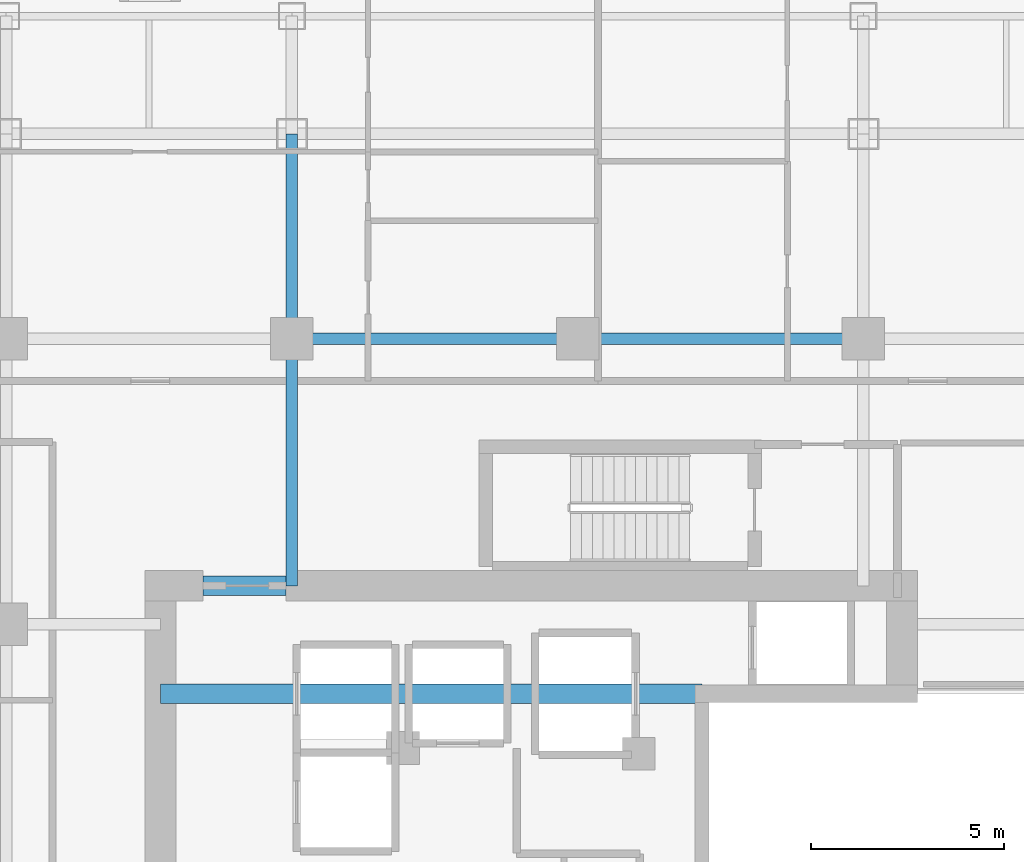
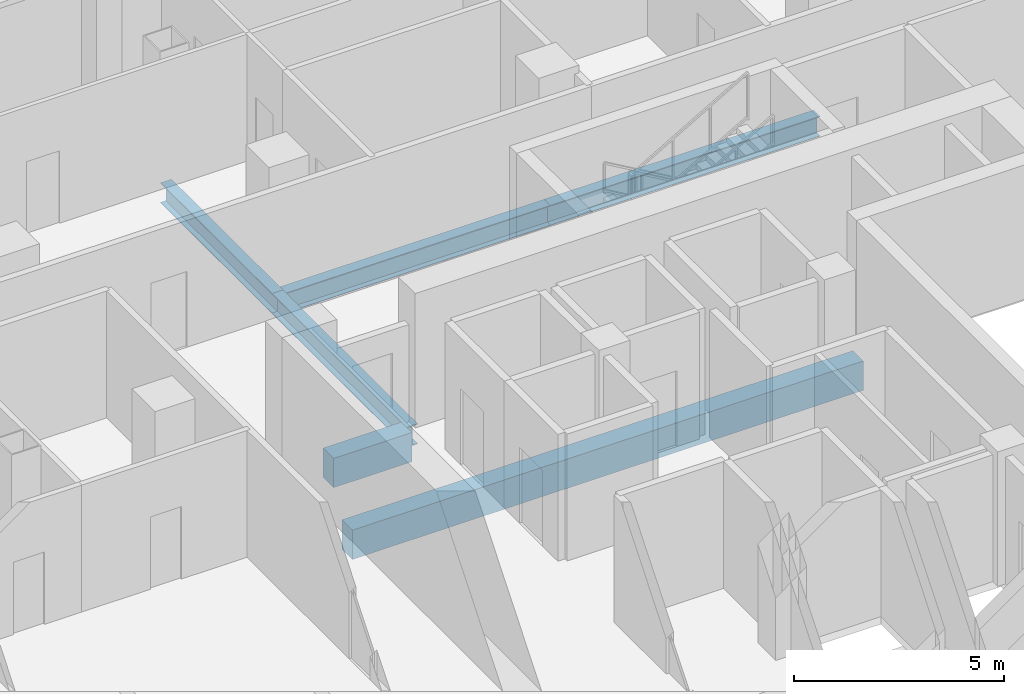
# One storey, part 17 of 34: 6 beams.
"""IFC4 building model written with IfcOpenShell, lengths in metres."""

from ifc_helpers import new_model, si_unit, direction, frame, origin, origin_2d, place, context, subcontext, project, spatial, rectangle, i_section, extrude, material, material_profile, profile_set, type_object, element, save


model = new_model("IFC4")

# Units and contexts
model_context = context("Model", 3, precision=1e-05, world=origin(), true_north=direction((0.0, 1.0)))
body_context = subcontext(model_context, "Body", "Model", "MODEL_VIEW")
ifc_project = project(units=[si_unit("LENGTHUNIT", "METRE"), si_unit("AREAUNIT", "SQUARE_METRE"), si_unit("VOLUMEUNIT", "CUBIC_METRE"), si_unit("PLANEANGLEUNIT", "RADIAN"), si_unit("MASSUNIT", "GRAM", prefix="KILO")], contexts=[model_context])

# Site, building, storey
site_placement = place(None, origin())
site = spatial("IfcSite", under=ifc_project, at=site_placement, CompositionType="ELEMENT")
building_placement = place(site_placement, origin())
building = spatial("IfcBuilding", under=site, at=building_placement, Name="Khorvyn Point Tower", CompositionType="ELEMENT")
storey_placement = place(building_placement, frame((0.0, 0.0, 175.800048828125)))
storey = spatial("IfcBuildingStorey", under=building, at=storey_placement, Name="L43", CompositionType="ELEMENT", Elevation=175.800048828125)

# Beams
ifc_material_1 = material(Name="Concrete C45/55", Category="concrete")
ifc_material_profile_1 = material_profile(ifc_material_1, rectangle(XDim=0.5, YDim=0.85009765625, at=origin_2d()))
ifc_profile_set_1 = profile_set([ifc_material_profile_1], Name="Concrete C45/55 RC500x850")
beam_type_1 = type_object("IfcBeamType", Name="Concrete C45/55 Beam RC500x850", PredefinedType="BEAM", material=ifc_profile_set_1)
beam_1_placement = place(storey_placement, frame((-10.800048828125, 5.60009765625, -0.64501953125), z_axis=(1.0, 0.0, 0.0), x_axis=(0.0, 1.0, 0.0)))
element("IfcBeam", 1, at=beam_1_placement, inside=storey, type_object=beam_type_1, Name="L43 Core Internal Tie Girder N", PredefinedType="BEAM", context=body_context, shape_type="SweptSolid", body=[
    extrude(rectangle(XDim=0.5, YDim=0.85009765625, at=origin_2d()), origin(), (0.0, 0.0, 1.0), 14.02001953125),
])
beam_2_placement = place(storey_placement, frame((-9.699951171875, 8.39990234375, -0.64501953125), z_axis=(1.0, 0.0, 0.0), x_axis=(0.0, 1.0, 0.0)))
element("IfcBeam", 2, at=beam_2_placement, inside=storey, type_object=beam_type_1, Name="L43 Core Northwest Portal Coupling Beam", PredefinedType="BEAM", context=body_context, shape_type="SweptSolid", body=[
    extrude(rectangle(XDim=0.5, YDim=0.85009765625, at=origin_2d()), origin(), (0.0, 0.0, 1.0), 2.14990234375),
])
ifc_material_2 = material(Name="Steel S355", Category="steel")
ifc_material_profile_2 = material_profile(ifc_material_2, i_section(OverallWidth=0.300048828125, OverallDepth=0.587890625, WebThickness=0.011962890625, FlangeThickness=0.02001953125, at=origin_2d()))
ifc_profile_set_2 = profile_set([ifc_material_profile_2], Name="Steel S355 H588x300x12x20")
beam_type_2 = type_object("IfcBeamType", Name="Steel S355 Beam H588x300x12x20", PredefinedType="BEAM", material=ifc_profile_set_2)
for number, where, z_axis, x_axis, name in (
    (3, (-7.39990234375, 14.800048828125, -0.51416015625), (1.0, 0.0, 0.0), (0.0, 1.0, 0.0), "Beam"),
    (4, (0.0, 14.800048828125, -0.51416015625), (1.0, 0.0, 0.0), (0.0, 1.0, 0.0), "Beam"),
):
    element("IfcBeam", number, at=place(storey_placement, frame(where, z_axis=z_axis, x_axis=x_axis)), inside=storey, type_object=beam_type_2, Name=name, PredefinedType="BEAM", context=body_context, shape_type="SweptSolid", body=[
        extrude(i_section(OverallWidth=0.300048828125, OverallDepth=0.587890625, WebThickness=0.011962890625, FlangeThickness=0.02001953125, at=origin_2d()), origin(), (0.0, 0.0, 1.0), 7.39990234375),
    ])
beam_3_placement = place(storey_placement, frame((-7.39990234375, 8.39990234375, -0.51416015625), z_axis=(0.0, 1.0, 0.0), x_axis=(-1.0, 0.0, 0.0)))
element("IfcBeam", 5, at=beam_3_placement, inside=storey, type_object=beam_type_2, Name="Beam", PredefinedType="BEAM", context=body_context, shape_type="SweptSolid", body=[
    extrude(i_section(OverallWidth=0.300048828125, OverallDepth=0.587890625, WebThickness=0.011962890625, FlangeThickness=0.02001953125, at=origin_2d()), origin(), (0.0, 0.0, 1.0), 6.400146484375),
])
beam_4_placement = place(storey_placement, frame((-7.39990234375, 14.800048828125, -0.51416015625), z_axis=(0.0, 1.0, 0.0), x_axis=(-1.0, 0.0, 0.0)))
element("IfcBeam", 6, at=beam_4_placement, inside=storey, type_object=beam_type_2, Name="Beam", PredefinedType="BEAM", context=body_context, shape_type="SweptSolid", body=[
    extrude(i_section(OverallWidth=0.300048828125, OverallDepth=0.587890625, WebThickness=0.011962890625, FlangeThickness=0.02001953125, at=origin_2d()), origin(), (0.0, 0.0, 1.0), 5.300048828125),
])

save(model, "model.ifc")
